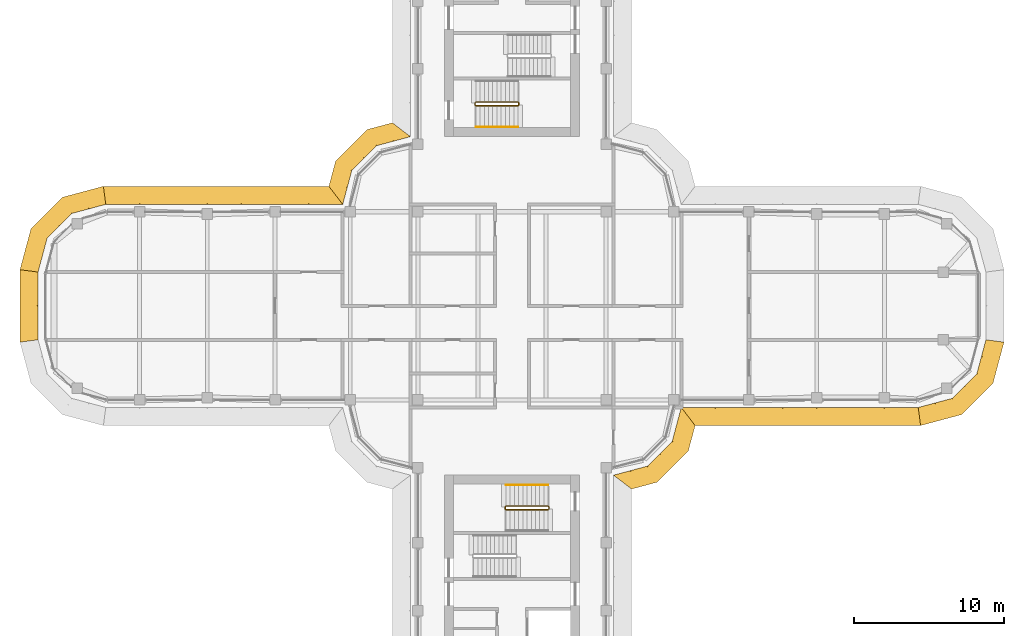
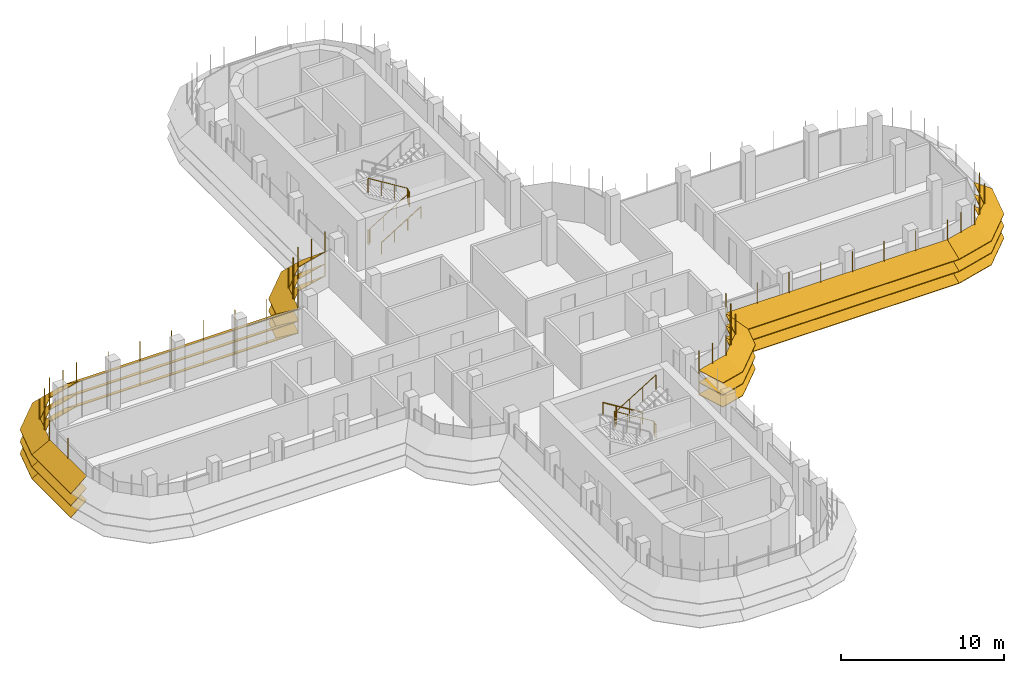
# One storey, part 18 of 19: 7 shading devices, 4 railings.
"""IFC4 building model written with IfcOpenShell, lengths in metres."""

from ifc_helpers import new_model, si_unit, direction, frame, origin, origin_2d, place, context, subcontext, project, spatial, polyline, circle, outline, extrude, faceted_brep, source, transform, mapped, material, type_object, element, save


model = new_model("IFC4")

# Units and contexts
model_context = context("Model", 3, precision=1e-05, world=origin(), true_north=direction((0.0, 1.0)))
body_context = subcontext(model_context, "Body", "Model", "MODEL_VIEW")
ifc_project = project(units=[si_unit("LENGTHUNIT", "METRE"), si_unit("AREAUNIT", "SQUARE_METRE"), si_unit("VOLUMEUNIT", "CUBIC_METRE"), si_unit("PLANEANGLEUNIT", "RADIAN"), si_unit("MASSUNIT", "GRAM", prefix="KILO")], contexts=[model_context])

# Site, building, storey
site_placement = place(None, origin())
site = spatial("IfcSite", under=ifc_project, at=site_placement, CompositionType="ELEMENT")
building_placement = place(site_placement, origin())
building = spatial("IfcBuilding", under=site, at=building_placement, Name="Zarbagh Exchange Tower", CompositionType="ELEMENT")
storey_placement = place(building_placement, frame((0.0, 0.0, 203.0)))
storey = spatial("IfcBuildingStorey", under=building, at=storey_placement, Name="L49", CompositionType="ELEMENT", Elevation=203.0)

# Railings
ifc_material_1 = material(Name="Stainless steel", Category="steel")
railing_type_1 = type_object("IfcRailingType", Name="Stair guard 1100 mm", PredefinedType="GUARDRAIL", material=ifc_material_1)
railing_1_placement = place(storey_placement, frame((-2.449951171875, 13.5, 0.0)))
element("IfcRailing", 1, at=railing_1_placement, inside=storey, type_object=railing_type_1, Name="ST2 stair guard 1", PredefinedType="GUARDRAIL", context=body_context, shape_type="SweptSolid", body=[
    extrude(circle(Radius=0.02392578125, at=origin_2d()), frame((0.0, 0.0, 1.076171875), z_axis=(0.0, -1.0, 0.0), x_axis=(1.0, 0.0, 0.0)), (0.0, 0.0, 1.0), 0.14990234375),
    extrude(circle(Radius=0.02392578125, at=origin_2d()), frame((0.0, -0.14990234375, 1.076171875), z_axis=(0.268277960024, -0.268277960024, 0.925231793839), x_axis=(0.707106781187, 0.707106781187, 0.0)), (0.0, 0.0, 1.0), 0.1865234375),
    extrude(circle(Radius=0.02392578125, at=origin_2d()), frame((0.050048828125, -0.199951171875, 1.24853515625), z_axis=(0.851069175582, 0.0, 0.525053576669), x_axis=(0.0, 1.0, 0.0)), (0.0, 0.0, 1.0), 3.289794921875),
    extrude(circle(Radius=0.02392578125, at=origin_2d()), frame((2.849853515625, -0.199951171875, 2.97607421875), z_axis=(0.707106781187, 0.707106781187, 0.0), x_axis=(-0.707106781187, 0.707106781187, 0.0)), (0.0, 0.0, 1.0), 0.07080078125),
    extrude(circle(Radius=0.02392578125, at=origin_2d()), frame((2.89990234375, -0.14990234375, 2.97607421875), z_axis=(0.0, 1.0, 0.0), x_axis=(-1.0, 0.0, 0.0)), (0.0, 0.0, 1.0), 0.14990234375),
    extrude(circle(Radius=0.02392578125, at=origin_2d()), frame((2.89990234375, 0.0, 2.97607421875), z_axis=(-0.267953482034, 0.267953482034, 0.925419830635), x_axis=(-0.707106781187, -0.707106781187, 0.0)), (0.0, 0.0, 1.0), 0.186767578125),
    extrude(circle(Radius=0.02392578125, at=origin_2d()), frame((2.849853515625, 0.050048828125, 3.14892578125), z_axis=(-0.851069175582, 0.0, 0.525053576669), x_axis=(0.0, -1.0, 0.0)), (0.0, 0.0, 1.0), 3.289794921875),
    extrude(circle(Radius=0.02099609375, at=origin_2d()), origin(), (0.0, 0.0, 1.0), 1.052001953125),
    extrude(circle(Radius=0.02099609375, at=origin_2d()), frame((0.0, -0.14990234375, 0.0)), (0.0, 0.0, 1.0), 1.052001953125),
    extrude(circle(Radius=0.02099609375, at=origin_2d()), frame((0.050048828125, -0.199951171875, 0.172607421875)), (0.0, 0.0, 1.0), 1.052001953125),
    extrude(circle(Radius=0.02099609375, at=origin_2d()), frame((0.9833984375, -0.199951171875, 0.748291015625)), (0.0, 0.0, 1.0), 1.052001953125),
    extrude(circle(Radius=0.02099609375, at=origin_2d()), frame((1.91650390625, -0.199951171875, 1.32421875)), (0.0, 0.0, 1.0), 1.052001953125),
    extrude(circle(Radius=0.02099609375, at=origin_2d()), frame((2.849853515625, -0.199951171875, 1.89990234375)), (0.0, 0.0, 1.0), 1.052001953125),
    extrude(circle(Radius=0.02099609375, at=origin_2d()), frame((2.89990234375, -0.14990234375, 1.89990234375)), (0.0, 0.0, 1.0), 1.052001953125),
    extrude(circle(Radius=0.02099609375, at=origin_2d()), frame((2.89990234375, 0.0, 1.89990234375)), (0.0, 0.0, 1.0), 1.052001953125),
    extrude(circle(Radius=0.02099609375, at=origin_2d()), frame((2.849853515625, 0.050048828125, 2.07275390625)), (0.0, 0.0, 1.0), 1.052001953125),
    extrude(circle(Radius=0.02099609375, at=origin_2d()), frame((1.91650390625, 0.050048828125, 2.6484375)), (0.0, 0.0, 1.0), 1.052001953125),
    extrude(circle(Radius=0.02099609375, at=origin_2d()), frame((0.9833984375, 0.050048828125, 3.224365234375)), (0.0, 0.0, 1.0), 1.052001953125),
    extrude(circle(Radius=0.02099609375, at=origin_2d()), frame((0.050048828125, 0.050048828125, 3.800048828125)), (0.0, 0.0, 1.0), 1.052001953125),
])
railing_2_placement = place(storey_placement, frame((2.449951171875, -13.5, 0.0)))
element("IfcRailing", 2, at=railing_2_placement, inside=storey, type_object=railing_type_1, Name="ST4 stair guard 1", PredefinedType="GUARDRAIL", context=body_context, shape_type="SweptSolid", body=[
    extrude(circle(Radius=0.02392578125, at=origin_2d()), frame((0.0, 0.0, 1.076171875), z_axis=(0.0, 1.0, 0.0), x_axis=(-1.0, 0.0, 0.0)), (0.0, 0.0, 1.0), 0.14990234375),
    extrude(circle(Radius=0.02392578125, at=origin_2d()), frame((0.0, 0.14990234375, 1.076171875), z_axis=(-0.268277960024, 0.268277960024, 0.925231793839), x_axis=(-0.707106781187, -0.707106781187, 0.0)), (0.0, 0.0, 1.0), 0.1865234375),
    extrude(circle(Radius=0.02392578125, at=origin_2d()), frame((-0.050048828125, 0.199951171875, 1.24853515625), z_axis=(-0.851069175582, 0.0, 0.525053576669), x_axis=(0.0, -1.0, 0.0)), (0.0, 0.0, 1.0), 3.289794921875),
    extrude(circle(Radius=0.02392578125, at=origin_2d()), frame((-2.849853515625, 0.199951171875, 2.97607421875), z_axis=(-0.707106781187, -0.707106781187, 0.0), x_axis=(0.707106781187, -0.707106781187, 0.0)), (0.0, 0.0, 1.0), 0.07080078125),
    extrude(circle(Radius=0.02392578125, at=origin_2d()), frame((-2.89990234375, 0.14990234375, 2.97607421875), z_axis=(0.0, -1.0, 0.0), x_axis=(1.0, 0.0, 0.0)), (0.0, 0.0, 1.0), 0.14990234375),
    extrude(circle(Radius=0.02392578125, at=origin_2d()), frame((-2.89990234375, 0.0, 2.97607421875), z_axis=(0.267953482034, -0.267953482034, 0.925419830635), x_axis=(0.707106781187, 0.707106781187, 0.0)), (0.0, 0.0, 1.0), 0.186767578125),
    extrude(circle(Radius=0.02392578125, at=origin_2d()), frame((-2.849853515625, -0.050048828125, 3.14892578125), z_axis=(0.851069175582, 0.0, 0.525053576669), x_axis=(0.0, 1.0, 0.0)), (0.0, 0.0, 1.0), 3.289794921875),
    extrude(circle(Radius=0.02099609375, at=origin_2d()), origin(), (0.0, 0.0, 1.0), 1.052001953125),
    extrude(circle(Radius=0.02099609375, at=origin_2d()), frame((0.0, 0.14990234375, 0.0)), (0.0, 0.0, 1.0), 1.052001953125),
    extrude(circle(Radius=0.02099609375, at=origin_2d()), frame((-0.050048828125, 0.199951171875, 0.172607421875)), (0.0, 0.0, 1.0), 1.052001953125),
    extrude(circle(Radius=0.02099609375, at=origin_2d()), frame((-0.9833984375, 0.199951171875, 0.748291015625)), (0.0, 0.0, 1.0), 1.052001953125),
    extrude(circle(Radius=0.02099609375, at=origin_2d()), frame((-1.91650390625, 0.199951171875, 1.32421875)), (0.0, 0.0, 1.0), 1.052001953125),
    extrude(circle(Radius=0.02099609375, at=origin_2d()), frame((-2.849853515625, 0.199951171875, 1.89990234375)), (0.0, 0.0, 1.0), 1.052001953125),
    extrude(circle(Radius=0.02099609375, at=origin_2d()), frame((-2.89990234375, 0.14990234375, 1.89990234375)), (0.0, 0.0, 1.0), 1.052001953125),
    extrude(circle(Radius=0.02099609375, at=origin_2d()), frame((-2.89990234375, 0.0, 1.89990234375)), (0.0, 0.0, 1.0), 1.052001953125),
    extrude(circle(Radius=0.02099609375, at=origin_2d()), frame((-2.849853515625, -0.050048828125, 2.07275390625)), (0.0, 0.0, 1.0), 1.052001953125),
    extrude(circle(Radius=0.02099609375, at=origin_2d()), frame((-1.91650390625, -0.050048828125, 2.6484375)), (0.0, 0.0, 1.0), 1.052001953125),
    extrude(circle(Radius=0.02099609375, at=origin_2d()), frame((-0.9833984375, -0.050048828125, 3.224365234375)), (0.0, 0.0, 1.0), 1.052001953125),
    extrude(circle(Radius=0.02099609375, at=origin_2d()), frame((-0.050048828125, -0.050048828125, 3.800048828125)), (0.0, 0.0, 1.0), 1.052001953125),
])
railing_type_2 = type_object("IfcRailingType", Name="Stair handrail 900 mm", PredefinedType="HANDRAIL", material=ifc_material_1)
railing_3_placement = place(storey_placement, frame((-2.39990234375, 11.89990234375, 0.172607421875)))
element("IfcRailing", 3, at=railing_3_placement, inside=storey, type_object=railing_type_2, Name="ST2 stair handrail 1", PredefinedType="HANDRAIL", context=body_context, shape_type="SweptSolid", body=[
    extrude(circle(Radius=0.02392578125, at=origin_2d()), frame((0.0, 0.0, 0.8759765625), z_axis=(0.851069175582, 0.0, 0.525053576669), x_axis=(0.0, 1.0, 0.0)), (0.0, 0.0, 1.0), 3.289794921875),
    extrude(circle(Radius=0.02099609375, at=origin_2d()), origin(), (0.0, 0.0, 1.0), 0.851806640625),
    extrude(circle(Radius=0.02099609375, at=origin_2d()), frame((0.933349609375, 0.0, 0.57568359375)), (0.0, 0.0, 1.0), 0.851806640625),
    extrude(circle(Radius=0.02099609375, at=origin_2d()), frame((1.866455078125, 0.0, 1.151611328125)), (0.0, 0.0, 1.0), 0.851806640625),
    extrude(circle(Radius=0.02099609375, at=origin_2d()), frame((2.7998046875, 0.0, 1.727294921875)), (0.0, 0.0, 1.0), 0.851806640625),
])
railing_4_placement = place(storey_placement, frame((2.39990234375, -11.89990234375, 0.172607421875)))
element("IfcRailing", 4, at=railing_4_placement, inside=storey, type_object=railing_type_2, Name="ST4 stair handrail 1", PredefinedType="HANDRAIL", context=body_context, shape_type="SweptSolid", body=[
    extrude(circle(Radius=0.02392578125, at=origin_2d()), frame((0.0, 0.0, 0.8759765625), z_axis=(-0.851069175582, 0.0, 0.525053576669), x_axis=(0.0, -1.0, 0.0)), (0.0, 0.0, 1.0), 3.289794921875),
    extrude(circle(Radius=0.02099609375, at=origin_2d()), origin(), (0.0, 0.0, 1.0), 0.851806640625),
    extrude(circle(Radius=0.02099609375, at=origin_2d()), frame((-0.933349609375, 0.0, 0.57568359375)), (0.0, 0.0, 1.0), 0.851806640625),
    extrude(circle(Radius=0.02099609375, at=origin_2d()), frame((-1.866455078125, 0.0, 1.151611328125)), (0.0, 0.0, 1.0), 0.851806640625),
    extrude(circle(Radius=0.02099609375, at=origin_2d()), frame((-2.7998046875, 0.0, 1.727294921875)), (0.0, 0.0, 1.0), 0.851806640625),
])

# Shading devices
ifc_material_2 = material(Name="Anodised aluminium blades and brackets", Category="aluminium")
shading_device_type = type_object("IfcShadingDeviceType", Name="SUNSHADE louvre band, 33.75 degree blades", PredefinedType="JALOUSIE", material=ifc_material_2)
shared_shape_1 = source(origin(), body_context, "Body", "Brep", [
    faceted_brep([(0.0, 0.0, 0.0), (0.0, 0.0, -0.048095703125), (-0.157958984375, -1.199951171875, -0.849853515625), (-0.157958984375, -1.199951171875, -0.8017578125), (2.65087890625, -1.199951171875, -0.8017578125), (2.65087890625, -1.199951171875, -0.849853515625), (2.329345703125, 0.0, -0.048095703125), (2.329345703125, 0.0, 0.0)], [[[0, 1, 2, 3]], [[4, 5, 6, 7]], [[0, 7, 6, 1]], [[1, 6, 5, 2]], [[2, 5, 4, 3]], [[3, 4, 7, 0]]]),
])
shared_shape_2 = source(origin(), body_context, "Body", "Brep", [
    faceted_brep([(0.0, 0.0, 0.0), (0.0, 0.0, -0.048095703125), (-0.321533203125, -1.199951171875, -0.849853515625), (-0.321533203125, -1.199951171875, -0.8017578125), (2.65087890625, -1.199951171875, -0.8017578125), (2.65087890625, -1.199951171875, -0.849853515625), (2.329345703125, 0.0, -0.048095703125), (2.329345703125, 0.0, 0.0)], [[[0, 1, 2, 3]], [[4, 5, 6, 7]], [[0, 7, 6, 1]], [[1, 6, 5, 2]], [[2, 5, 4, 3]], [[3, 4, 7, 0]]]),
])
shared_shape_3 = source(origin(), body_context, "Body", "Brep", [
    faceted_brep([(0.0, 0.0, 0.0), (0.0, 0.0, -0.048095703125), (-0.321533203125, -1.199951171875, -0.849853515625), (-0.321533203125, -1.199951171875, -0.8017578125), (2.4873046875, -1.199951171875, -0.8017578125), (2.4873046875, -1.199951171875, -0.849853515625), (2.329345703125, 0.0, -0.048095703125), (2.329345703125, 0.0, 0.0)], [[[0, 1, 2, 3]], [[4, 5, 6, 7]], [[0, 7, 6, 1]], [[1, 6, 5, 2]], [[2, 5, 4, 3]], [[3, 4, 7, 0]]]),
])
shared_shape_4 = source(origin(), body_context, "Body", "SweptSolid", [
    extrude(outline(polyline([(0.0, -0.012451171875), (0.06005859375, -0.012451171875), (0.06005859375, 0.012451171875), (0.0, 0.012451171875), (0.0, -0.012451171875)])), origin(), (0.0, 0.0, 1.0), 3.358154296875),
])
placement = place(storey_placement, origin())
element("IfcShadingDevice", 5, at=placement, inside=storey, type_object=shading_device_type, Name="SS31 sunshade band", PredefinedType="JALOUSIE", context=body_context, shape_type="MappedRepresentation", body=[
    mapped(shared_shape_1, transform((27.0, -6.75, 2.300048828125), x_axis=(0.965924289636, 0.258824779902, 0.0), y_axis=(-0.258824779902, 0.965924289636, 0.0), z_axis=(0.0, 0.0, 1.0))),
    mapped(shared_shape_1, transform((27.0, -6.75, 1.39990234375), x_axis=(0.965924289636, 0.258824779902, 0.0), y_axis=(-0.258824779902, 0.965924289636, 0.0), z_axis=(0.0, 0.0, 1.0))),
    mapped(shared_shape_1, transform((27.0, -6.75, 0.5), x_axis=(0.965924289636, 0.258824779902, 0.0), y_axis=(-0.258824779902, 0.965924289636, 0.0), z_axis=(0.0, 0.0, 1.0))),
    mapped(shared_shape_2, transform((29.25, -6.147216796875, 2.300048828125), x_axis=(0.707106781187, 0.707106781187, 0.0), y_axis=(-0.707106781187, 0.707106781187, 0.0), z_axis=(0.0, 0.0, 1.0))),
    mapped(shared_shape_2, transform((29.25, -6.147216796875, 1.39990234375), x_axis=(0.707106781187, 0.707106781187, 0.0), y_axis=(-0.707106781187, 0.707106781187, 0.0), z_axis=(0.0, 0.0, 1.0))),
    mapped(shared_shape_2, transform((29.25, -6.147216796875, 0.5), x_axis=(0.707106781187, 0.707106781187, 0.0), y_axis=(-0.707106781187, 0.707106781187, 0.0), z_axis=(0.0, 0.0, 1.0))),
    mapped(shared_shape_3, transform((30.897216796875, -4.5, 2.300048828125), x_axis=(0.258824779902, 0.965924289636, 0.0), y_axis=(-0.965924289636, 0.258824779902, 0.0), z_axis=(0.0, 0.0, 1.0))),
    mapped(shared_shape_3, transform((30.897216796875, -4.5, 1.39990234375), x_axis=(0.258824779902, 0.965924289636, 0.0), y_axis=(-0.965924289636, 0.258824779902, 0.0), z_axis=(0.0, 0.0, 1.0))),
    mapped(shared_shape_3, transform((30.897216796875, -4.5, 0.5), x_axis=(0.258824779902, 0.965924289636, 0.0), y_axis=(-0.965924289636, 0.258824779902, 0.0), z_axis=(0.0, 0.0, 1.0))),
    mapped(shared_shape_4, transform((27.0, -6.75, 0.421875), x_axis=(0.130529263012, -0.991444457092, 0.0), y_axis=(0.991444457092, 0.130529263012, 0.0), z_axis=(0.0, 0.0, 1.0))),
    mapped(shared_shape_4, transform((28.125, -6.448486328125, 0.421875), x_axis=(0.258825058029, -0.96592421511, 0.0), y_axis=(0.96592421511, 0.258825058029, 0.0), z_axis=(0.0, 0.0, 1.0))),
    mapped(shared_shape_4, transform((29.25, -6.147216796875, 0.421875), x_axis=(0.50000275701, -0.866023812018, 0.0), y_axis=(0.866023812018, 0.50000275701, 0.0), z_axis=(0.0, 0.0, 1.0))),
    mapped(shared_shape_4, transform((30.073486328125, -5.323486328125, 0.421875), x_axis=(0.707106781187, -0.707106781187, 0.0), y_axis=(0.707106781187, 0.707106781187, 0.0), z_axis=(0.0, 0.0, 1.0))),
    mapped(shared_shape_4, transform((30.897216796875, -4.5, 0.421875), x_axis=(0.866023812018, -0.50000275701, 0.0), y_axis=(0.50000275701, 0.866023812018, 0.0), z_axis=(0.0, 0.0, 1.0))),
    mapped(shared_shape_4, transform((31.198486328125, -3.375, 0.421875), x_axis=(0.96592421511, -0.258825058029, 0.0), y_axis=(0.258825058029, 0.96592421511, 0.0), z_axis=(0.0, 0.0, 1.0))),
])
element("IfcShadingDevice", 6, at=placement, inside=storey, type_object=shading_device_type, Name="SS41 sunshade band", PredefinedType="JALOUSIE", context=body_context, shape_type="MappedRepresentation", body=[
    mapped(shared_shape_1, transform((-27.0, 6.75, 2.300048828125), x_axis=(-0.965924289636, -0.258824779902, 0.0), y_axis=(0.258824779902, -0.965924289636, 0.0), z_axis=(0.0, 0.0, 1.0))),
    mapped(shared_shape_1, transform((-27.0, 6.75, 1.39990234375), x_axis=(-0.965924289636, -0.258824779902, 0.0), y_axis=(0.258824779902, -0.965924289636, 0.0), z_axis=(0.0, 0.0, 1.0))),
    mapped(shared_shape_1, transform((-27.0, 6.75, 0.5), x_axis=(-0.965924289636, -0.258824779902, 0.0), y_axis=(0.258824779902, -0.965924289636, 0.0), z_axis=(0.0, 0.0, 1.0))),
    mapped(shared_shape_2, transform((-29.25, 6.147216796875, 2.300048828125), x_axis=(-0.707106781187, -0.707106781187, 0.0), y_axis=(0.707106781187, -0.707106781187, 0.0), z_axis=(0.0, 0.0, 1.0))),
    mapped(shared_shape_2, transform((-29.25, 6.147216796875, 1.39990234375), x_axis=(-0.707106781187, -0.707106781187, 0.0), y_axis=(0.707106781187, -0.707106781187, 0.0), z_axis=(0.0, 0.0, 1.0))),
    mapped(shared_shape_2, transform((-29.25, 6.147216796875, 0.5), x_axis=(-0.707106781187, -0.707106781187, 0.0), y_axis=(0.707106781187, -0.707106781187, 0.0), z_axis=(0.0, 0.0, 1.0))),
    mapped(shared_shape_3, transform((-30.897216796875, 4.5, 2.300048828125), x_axis=(-0.258824779902, -0.965924289636, 0.0), y_axis=(0.965924289636, -0.258824779902, 0.0), z_axis=(0.0, 0.0, 1.0))),
    mapped(shared_shape_3, transform((-30.897216796875, 4.5, 1.39990234375), x_axis=(-0.258824779902, -0.965924289636, 0.0), y_axis=(0.965924289636, -0.258824779902, 0.0), z_axis=(0.0, 0.0, 1.0))),
    mapped(shared_shape_3, transform((-30.897216796875, 4.5, 0.5), x_axis=(-0.258824779902, -0.965924289636, 0.0), y_axis=(0.965924289636, -0.258824779902, 0.0), z_axis=(0.0, 0.0, 1.0))),
    mapped(shared_shape_4, transform((-27.0, 6.75, 0.421875), x_axis=(-0.130529263012, 0.991444457092, 0.0), y_axis=(-0.991444457092, -0.130529263012, 0.0), z_axis=(0.0, 0.0, 1.0))),
    mapped(shared_shape_4, transform((-28.125, 6.448486328125, 0.421875), x_axis=(-0.258825058029, 0.96592421511, 0.0), y_axis=(-0.96592421511, -0.258825058029, 0.0), z_axis=(0.0, 0.0, 1.0))),
    mapped(shared_shape_4, transform((-29.25, 6.147216796875, 0.421875), x_axis=(-0.50000275701, 0.866023812018, 0.0), y_axis=(-0.866023812018, -0.50000275701, 0.0), z_axis=(0.0, 0.0, 1.0))),
    mapped(shared_shape_4, transform((-30.073486328125, 5.323486328125, 0.421875), x_axis=(-0.707106781187, 0.707106781187, 0.0), y_axis=(-0.707106781187, -0.707106781187, 0.0), z_axis=(0.0, 0.0, 1.0))),
    mapped(shared_shape_4, transform((-30.897216796875, 4.5, 0.421875), x_axis=(-0.866023812018, 0.50000275701, 0.0), y_axis=(-0.50000275701, -0.866023812018, 0.0), z_axis=(0.0, 0.0, 1.0))),
    mapped(shared_shape_4, transform((-31.198486328125, 3.375, 0.421875), x_axis=(-0.96592421511, 0.258825058029, 0.0), y_axis=(-0.258825058029, -0.96592421511, 0.0), z_axis=(0.0, 0.0, 1.0))),
])
shared_shape_5 = source(origin(), body_context, "Body", "Brep", [
    faceted_brep([(0.0, 0.0, 0.0), (0.0, 0.0, -0.048095703125), (0.9208984375, -1.199951171875, -0.849853515625), (0.9208984375, -1.199951171875, -0.8017578125), (2.65087890625, -1.199951171875, -0.8017578125), (2.65087890625, -1.199951171875, -0.849853515625), (2.329345703125, 0.0, -0.048095703125), (2.329345703125, 0.0, 0.0)], [[[0, 1, 2, 3]], [[4, 5, 6, 7]], [[0, 7, 6, 1]], [[1, 6, 5, 2]], [[2, 5, 4, 3]], [[3, 4, 7, 0]]]),
])
shared_shape_6 = source(origin(), body_context, "Body", "Brep", [
    faceted_brep([(0.0, 0.0, 0.0), (0.0, 0.0, -0.048095703125), (-0.321533203125, -1.199951171875, -0.849853515625), (-0.321533203125, -1.199951171875, -0.8017578125), (1.40869140625, -1.199951171875, -0.8017578125), (1.40869140625, -1.199951171875, -0.849853515625), (2.329345703125, 0.0, -0.048095703125), (2.329345703125, 0.0, 0.0)], [[[0, 1, 2, 3]], [[4, 5, 6, 7]], [[0, 7, 6, 1]], [[1, 6, 5, 2]], [[2, 5, 4, 3]], [[3, 4, 7, 0]]]),
])
element("IfcShadingDevice", 7, at=placement, inside=storey, type_object=shading_device_type, Name="SS03 sunshade band", PredefinedType="JALOUSIE", context=body_context, shape_type="MappedRepresentation", body=[
    mapped(shared_shape_5, transform((6.75, -11.25, 2.300048828125), x_axis=(0.965924289636, 0.258824779902, 0.0), y_axis=(-0.258824779902, 0.965924289636, 0.0), z_axis=(0.0, 0.0, 1.0))),
    mapped(shared_shape_5, transform((6.75, -11.25, 1.39990234375), x_axis=(0.965924289636, 0.258824779902, 0.0), y_axis=(-0.258824779902, 0.965924289636, 0.0), z_axis=(0.0, 0.0, 1.0))),
    mapped(shared_shape_5, transform((6.75, -11.25, 0.5), x_axis=(0.965924289636, 0.258824779902, 0.0), y_axis=(-0.258824779902, 0.965924289636, 0.0), z_axis=(0.0, 0.0, 1.0))),
    mapped(shared_shape_2, transform((9.0, -10.647216796875, 2.300048828125), x_axis=(0.707106781187, 0.707106781187, 0.0), y_axis=(-0.707106781187, 0.707106781187, 0.0), z_axis=(0.0, 0.0, 1.0))),
    mapped(shared_shape_2, transform((9.0, -10.647216796875, 1.39990234375), x_axis=(0.707106781187, 0.707106781187, 0.0), y_axis=(-0.707106781187, 0.707106781187, 0.0), z_axis=(0.0, 0.0, 1.0))),
    mapped(shared_shape_2, transform((9.0, -10.647216796875, 0.5), x_axis=(0.707106781187, 0.707106781187, 0.0), y_axis=(-0.707106781187, 0.707106781187, 0.0), z_axis=(0.0, 0.0, 1.0))),
    mapped(shared_shape_6, transform((10.647216796875, -9.0, 2.300048828125), x_axis=(0.258824779902, 0.965924289636, 0.0), y_axis=(-0.965924289636, 0.258824779902, 0.0), z_axis=(0.0, 0.0, 1.0))),
    mapped(shared_shape_6, transform((10.647216796875, -9.0, 1.39990234375), x_axis=(0.258824779902, 0.965924289636, 0.0), y_axis=(-0.965924289636, 0.258824779902, 0.0), z_axis=(0.0, 0.0, 1.0))),
    mapped(shared_shape_6, transform((10.647216796875, -9.0, 0.5), x_axis=(0.258824779902, 0.965924289636, 0.0), y_axis=(-0.965924289636, 0.258824779902, 0.0), z_axis=(0.0, 0.0, 1.0))),
    mapped(shared_shape_4, transform((6.75, -11.25, 0.421875), x_axis=(0.793355287, -0.608758892, 0.0), y_axis=(0.608758892, 0.793355287, 0.0), z_axis=(0.0, 0.0, 1.0))),
    mapped(shared_shape_4, transform((7.875, -10.948486328125, 0.421875), x_axis=(0.258825058029, -0.96592421511, 0.0), y_axis=(0.96592421511, 0.258825058029, 0.0), z_axis=(0.0, 0.0, 1.0))),
    mapped(shared_shape_4, transform((9.0, -10.647216796875, 0.421875), x_axis=(0.50000275701, -0.866023812018, 0.0), y_axis=(0.866023812018, 0.50000275701, 0.0), z_axis=(0.0, 0.0, 1.0))),
    mapped(shared_shape_4, transform((9.823486328125, -9.823486328125, 0.421875), x_axis=(0.707106781187, -0.707106781187, 0.0), y_axis=(0.707106781187, 0.707106781187, 0.0), z_axis=(0.0, 0.0, 1.0))),
    mapped(shared_shape_4, transform((10.647216796875, -9.0, 0.421875), x_axis=(0.866023812018, -0.50000275701, 0.0), y_axis=(0.50000275701, 0.866023812018, 0.0), z_axis=(0.0, 0.0, 1.0))),
    mapped(shared_shape_4, transform((10.948486328125, -7.875, 0.421875), x_axis=(0.96592421511, -0.258825058029, 0.0), y_axis=(0.258825058029, 0.96592421511, 0.0), z_axis=(0.0, 0.0, 1.0))),
])
element("IfcShadingDevice", 8, at=placement, inside=storey, type_object=shading_device_type, Name="SS15 sunshade band", PredefinedType="JALOUSIE", context=body_context, shape_type="MappedRepresentation", body=[
    mapped(shared_shape_5, transform((-6.75, 11.25, 2.300048828125), x_axis=(-0.965924289636, -0.258824779902, 0.0), y_axis=(0.258824779902, -0.965924289636, 0.0), z_axis=(0.0, 0.0, 1.0))),
    mapped(shared_shape_5, transform((-6.75, 11.25, 1.39990234375), x_axis=(-0.965924289636, -0.258824779902, 0.0), y_axis=(0.258824779902, -0.965924289636, 0.0), z_axis=(0.0, 0.0, 1.0))),
    mapped(shared_shape_5, transform((-6.75, 11.25, 0.5), x_axis=(-0.965924289636, -0.258824779902, 0.0), y_axis=(0.258824779902, -0.965924289636, 0.0), z_axis=(0.0, 0.0, 1.0))),
    mapped(shared_shape_2, transform((-9.0, 10.647216796875, 2.300048828125), x_axis=(-0.707106781187, -0.707106781187, 0.0), y_axis=(0.707106781187, -0.707106781187, 0.0), z_axis=(0.0, 0.0, 1.0))),
    mapped(shared_shape_2, transform((-9.0, 10.647216796875, 1.39990234375), x_axis=(-0.707106781187, -0.707106781187, 0.0), y_axis=(0.707106781187, -0.707106781187, 0.0), z_axis=(0.0, 0.0, 1.0))),
    mapped(shared_shape_2, transform((-9.0, 10.647216796875, 0.5), x_axis=(-0.707106781187, -0.707106781187, 0.0), y_axis=(0.707106781187, -0.707106781187, 0.0), z_axis=(0.0, 0.0, 1.0))),
    mapped(shared_shape_6, transform((-10.647216796875, 9.0, 2.300048828125), x_axis=(-0.258824779902, -0.965924289636, 0.0), y_axis=(0.965924289636, -0.258824779902, 0.0), z_axis=(0.0, 0.0, 1.0))),
    mapped(shared_shape_6, transform((-10.647216796875, 9.0, 1.39990234375), x_axis=(-0.258824779902, -0.965924289636, 0.0), y_axis=(0.965924289636, -0.258824779902, 0.0), z_axis=(0.0, 0.0, 1.0))),
    mapped(shared_shape_6, transform((-10.647216796875, 9.0, 0.5), x_axis=(-0.258824779902, -0.965924289636, 0.0), y_axis=(0.965924289636, -0.258824779902, 0.0), z_axis=(0.0, 0.0, 1.0))),
    mapped(shared_shape_4, transform((-6.75, 11.25, 0.421875), x_axis=(-0.793355287, 0.608758892, 0.0), y_axis=(-0.608758892, -0.793355287, 0.0), z_axis=(0.0, 0.0, 1.0))),
    mapped(shared_shape_4, transform((-7.875, 10.948486328125, 0.421875), x_axis=(-0.258825058029, 0.96592421511, 0.0), y_axis=(-0.96592421511, -0.258825058029, 0.0), z_axis=(0.0, 0.0, 1.0))),
    mapped(shared_shape_4, transform((-9.0, 10.647216796875, 0.421875), x_axis=(-0.50000275701, 0.866023812018, 0.0), y_axis=(-0.866023812018, -0.50000275701, 0.0), z_axis=(0.0, 0.0, 1.0))),
    mapped(shared_shape_4, transform((-9.823486328125, 9.823486328125, 0.421875), x_axis=(-0.707106781187, 0.707106781187, 0.0), y_axis=(-0.707106781187, -0.707106781187, 0.0), z_axis=(0.0, 0.0, 1.0))),
    mapped(shared_shape_4, transform((-10.647216796875, 9.0, 0.421875), x_axis=(-0.866023812018, 0.50000275701, 0.0), y_axis=(-0.50000275701, -0.866023812018, 0.0), z_axis=(0.0, 0.0, 1.0))),
    mapped(shared_shape_4, transform((-10.948486328125, 7.875, 0.421875), x_axis=(-0.96592421511, 0.258825058029, 0.0), y_axis=(-0.258825058029, -0.96592421511, 0.0), z_axis=(0.0, 0.0, 1.0))),
])
shared_shape_7 = source(origin(), body_context, "Body", "Brep", [
    faceted_brep([(0.0, 0.0, 0.0), (0.0, 0.0, -0.048095703125), (0.9208984375, -1.199951171875, -0.849853515625), (0.9208984375, -1.199951171875, -0.8017578125), (15.907958984375, -1.199951171875, -0.8017578125), (15.907958984375, -1.199951171875, -0.849853515625), (15.75, 0.0, -0.048095703125), (15.75, 0.0, 0.0)], [[[0, 1, 2, 3]], [[4, 5, 6, 7]], [[0, 7, 6, 1]], [[1, 6, 5, 2]], [[2, 5, 4, 3]], [[3, 4, 7, 0]]]),
])
element("IfcShadingDevice", 9, at=placement, inside=storey, type_object=shading_device_type, Name="SS30 sunshade band", PredefinedType="JALOUSIE", context=body_context, shape_type="MappedRepresentation", body=[
    mapped(shared_shape_7, transform((11.25, -6.75, 2.300048828125), x_axis=(1.0, 0.0, 0.0), y_axis=(0.0, 1.0, 0.0), z_axis=(0.0, 0.0, 1.0))),
    mapped(shared_shape_7, transform((11.25, -6.75, 1.39990234375), x_axis=(1.0, 0.0, 0.0), y_axis=(0.0, 1.0, 0.0), z_axis=(0.0, 0.0, 1.0))),
    mapped(shared_shape_7, transform((11.25, -6.75, 0.5), x_axis=(1.0, 0.0, 0.0), y_axis=(0.0, 1.0, 0.0), z_axis=(0.0, 0.0, 1.0))),
    mapped(shared_shape_4, transform((11.25, -6.75, 0.421875), x_axis=(0.608758892, -0.793355287, 0.0), y_axis=(0.793355287, 0.608758892, 0.0), z_axis=(0.0, 0.0, 1.0))),
    mapped(shared_shape_4, transform((13.5, -6.75, 0.421875), x_axis=(0.0, -1.0, 0.0), y_axis=(1.0, 0.0, 0.0), z_axis=(0.0, 0.0, 1.0))),
    mapped(shared_shape_4, transform((15.75, -6.75, 0.421875), x_axis=(0.0, -1.0, 0.0), y_axis=(1.0, 0.0, 0.0), z_axis=(0.0, 0.0, 1.0))),
    mapped(shared_shape_4, transform((18.0, -6.75, 0.421875), x_axis=(0.0, -1.0, 0.0), y_axis=(1.0, 0.0, 0.0), z_axis=(0.0, 0.0, 1.0))),
    mapped(shared_shape_4, transform((20.25, -6.75, 0.421875), x_axis=(0.0, -1.0, 0.0), y_axis=(1.0, 0.0, 0.0), z_axis=(0.0, 0.0, 1.0))),
    mapped(shared_shape_4, transform((22.5, -6.75, 0.421875), x_axis=(0.0, -1.0, 0.0), y_axis=(1.0, 0.0, 0.0), z_axis=(0.0, 0.0, 1.0))),
    mapped(shared_shape_4, transform((24.75, -6.75, 0.421875), x_axis=(0.0, -1.0, 0.0), y_axis=(1.0, 0.0, 0.0), z_axis=(0.0, 0.0, 1.0))),
])
element("IfcShadingDevice", 10, at=placement, inside=storey, type_object=shading_device_type, Name="SS40 sunshade band", PredefinedType="JALOUSIE", context=body_context, shape_type="MappedRepresentation", body=[
    mapped(shared_shape_7, transform((-11.25, 6.75, 2.300048828125), x_axis=(-1.0, 0.0, 0.0), y_axis=(0.0, -1.0, 0.0), z_axis=(0.0, 0.0, 1.0))),
    mapped(shared_shape_7, transform((-11.25, 6.75, 1.39990234375), x_axis=(-1.0, 0.0, 0.0), y_axis=(0.0, -1.0, 0.0), z_axis=(0.0, 0.0, 1.0))),
    mapped(shared_shape_7, transform((-11.25, 6.75, 0.5), x_axis=(-1.0, 0.0, 0.0), y_axis=(0.0, -1.0, 0.0), z_axis=(0.0, 0.0, 1.0))),
    mapped(shared_shape_4, transform((-11.25, 6.75, 0.421875), x_axis=(-0.608758892, 0.793355287, 0.0), y_axis=(-0.793355287, -0.608758892, 0.0), z_axis=(0.0, 0.0, 1.0))),
    mapped(shared_shape_4, transform((-13.5, 6.75, 0.421875), x_axis=(0.0, 1.0, 0.0), y_axis=(-1.0, 0.0, 0.0), z_axis=(0.0, 0.0, 1.0))),
    mapped(shared_shape_4, transform((-15.75, 6.75, 0.421875), x_axis=(0.0, 1.0, 0.0), y_axis=(-1.0, 0.0, 0.0), z_axis=(0.0, 0.0, 1.0))),
    mapped(shared_shape_4, transform((-18.0, 6.75, 0.421875), x_axis=(0.0, 1.0, 0.0), y_axis=(-1.0, 0.0, 0.0), z_axis=(0.0, 0.0, 1.0))),
    mapped(shared_shape_4, transform((-20.25, 6.75, 0.421875), x_axis=(0.0, 1.0, 0.0), y_axis=(-1.0, 0.0, 0.0), z_axis=(0.0, 0.0, 1.0))),
    mapped(shared_shape_4, transform((-22.5, 6.75, 0.421875), x_axis=(0.0, 1.0, 0.0), y_axis=(-1.0, 0.0, 0.0), z_axis=(0.0, 0.0, 1.0))),
    mapped(shared_shape_4, transform((-24.75, 6.75, 0.421875), x_axis=(0.0, 1.0, 0.0), y_axis=(-1.0, 0.0, 0.0), z_axis=(0.0, 0.0, 1.0))),
])
shared_shape_8 = source(origin(), body_context, "Body", "Brep", [
    faceted_brep([(0.0, 0.0, 0.0), (0.0, 0.0, -0.048095703125), (-0.157958984375, -1.199951171875, -0.849853515625), (-0.157958984375, -1.199951171875, -0.8017578125), (4.657958984375, -1.199951171875, -0.8017578125), (4.657958984375, -1.199951171875, -0.849853515625), (4.5, 0.0, -0.048095703125), (4.5, 0.0, 0.0)], [[[0, 1, 2, 3]], [[4, 5, 6, 7]], [[0, 7, 6, 1]], [[1, 6, 5, 2]], [[2, 5, 4, 3]], [[3, 4, 7, 0]]]),
])
element("IfcShadingDevice", 11, at=placement, inside=storey, type_object=shading_device_type, Name="SS42 sunshade band", PredefinedType="JALOUSIE", context=body_context, shape_type="MappedRepresentation", body=[
    mapped(shared_shape_8, transform((-31.5, 2.25, 2.300048828125), x_axis=(0.0, -1.0, 0.0), y_axis=(1.0, 0.0, 0.0), z_axis=(0.0, 0.0, 1.0))),
    mapped(shared_shape_8, transform((-31.5, 2.25, 1.39990234375), x_axis=(0.0, -1.0, 0.0), y_axis=(1.0, 0.0, 0.0), z_axis=(0.0, 0.0, 1.0))),
    mapped(shared_shape_8, transform((-31.5, 2.25, 0.5), x_axis=(0.0, -1.0, 0.0), y_axis=(1.0, 0.0, 0.0), z_axis=(0.0, 0.0, 1.0))),
    mapped(shared_shape_4, transform((-31.5, 2.25, 0.421875), x_axis=(-0.991444457092, 0.130529263012, 0.0), y_axis=(-0.130529263012, -0.991444457092, 0.0), z_axis=(0.0, 0.0, 1.0))),
    mapped(shared_shape_4, transform((-31.5, 0.0, 0.421875), x_axis=(-1.0, 0.0, 0.0), y_axis=(0.0, -1.0, 0.0), z_axis=(0.0, 0.0, 1.0))),
])

save(model, "model.ifc")
